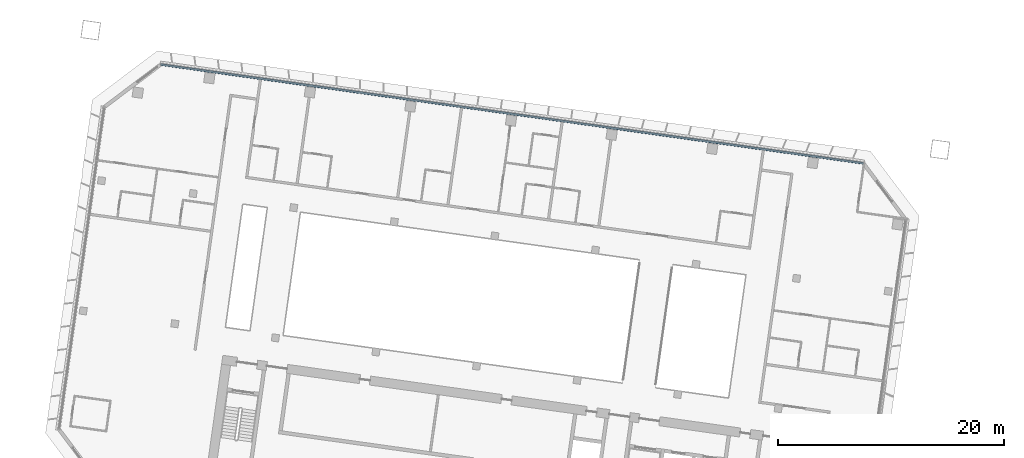
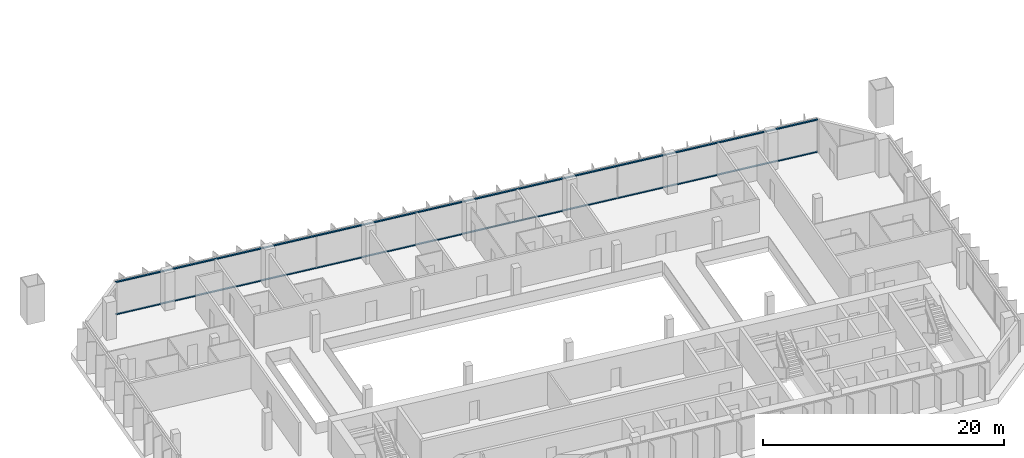
# One storey, part 4 of 25: 2 members, 1 element without a shape of its own.
"""IFC4 building model written with IfcOpenShell, lengths in metres."""

from ifc_helpers import new_model, si_unit, direction, frame, origin, origin_2d, place, context, subcontext, project, spatial, rectangle, extrude, material, material_profile, profile_set, type_object, element, aggregate, save


model = new_model("IFC4")

# Units and contexts
model_context = context("Model", 3, precision=1e-05, world=origin(), true_north=direction((0.0, 1.0)))
body_context = subcontext(model_context, "Body", "Model", "MODEL_VIEW")
ifc_project = project(units=[si_unit("LENGTHUNIT", "METRE"), si_unit("AREAUNIT", "SQUARE_METRE"), si_unit("VOLUMEUNIT", "CUBIC_METRE"), si_unit("PLANEANGLEUNIT", "RADIAN"), si_unit("MASSUNIT", "GRAM", prefix="KILO")], contexts=[model_context])

# Site, building, storey
site_placement = place(None, origin())
site = spatial("IfcSite", under=ifc_project, at=site_placement, CompositionType="ELEMENT")
building_placement = place(site_placement, origin())
building = spatial("IfcBuilding", under=site, at=building_placement, Name="Mirante Cascada Hotel Towers", CompositionType="ELEMENT")
storey_placement = place(building_placement, frame((0.0, 0.0, 129.1)))
storey = spatial("IfcBuildingStorey", under=building, at=storey_placement, Name="L29", CompositionType="ELEMENT", Elevation=129.1)

# Curtain wall, members
ifc_material_1 = material(Name="Aluminium mullion and transom frame with clear laminated glass", Category="aluminium")
curtain_wall_type = type_object("IfcCurtainWallType", Name="Ribbon curtain wall ECW1", PredefinedType="NOTDEFINED", material=ifc_material_1)
curtain_wall_placement = place(storey_placement, origin())
curtain_wall = element("IfcCurtainWall", 1, at=curtain_wall_placement, inside=storey, type_object=curtain_wall_type, Name="Front ribbon wall T1 L29", PredefinedType="NOTDEFINED")
ifc_material_2 = material(Name="Anodised aluminium extrusion", Category="aluminium")
ifc_material_profile = material_profile(ifc_material_2, rectangle(XDim=0.16, YDim=0.1, at=origin_2d()), Name="ECW1 TRANSOM 100x160")
ifc_profile_set = profile_set([ifc_material_profile], Name="Anodised aluminium extrusion")
member_type = type_object("IfcMemberType", Name="ECW1 transom 100x160", PredefinedType="USERDEFINED", material=ifc_profile_set)
member_1_placement = place(storey_placement, frame((-94.1582, 26.0521, 0.05), z_axis=(0.9902681, -0.1391728, 0.0), x_axis=(0.1391728, 0.9902681, 0.0)))
member_1 = element("IfcMember", 2, at=member_1_placement, type_object=member_type, Name="ECW1 sill transom", ObjectType="TRANSOM", PredefinedType="USERDEFINED", context=body_context, shape_type="SweptSolid", body=[
    extrude(rectangle(XDim=0.16, YDim=0.1, at=origin_2d()), origin(), (0.0, 0.0, 1.0), 62.8758),
])
member_2_placement = place(storey_placement, frame((-94.1582, 26.0521, 3.3), z_axis=(0.9902681, -0.1391728, 0.0), x_axis=(0.1391728, 0.9902681, 0.0)))
member_2 = element("IfcMember", 3, at=member_2_placement, type_object=member_type, Name="ECW1 head transom", ObjectType="TRANSOM", PredefinedType="USERDEFINED", context=body_context, shape_type="SweptSolid", body=[
    extrude(rectangle(XDim=0.16, YDim=0.1, at=origin_2d()), origin(), (0.0, 0.0, 1.0), 62.8758),
])
aggregate(curtain_wall, [member_1, member_2])

save(model, "model.ifc")
